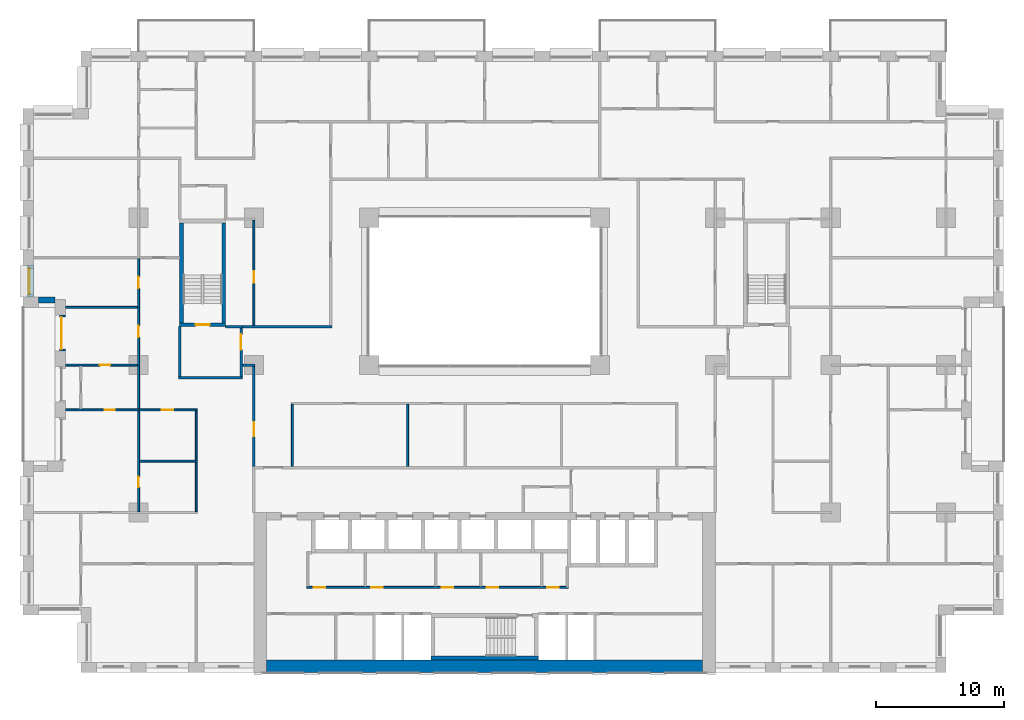
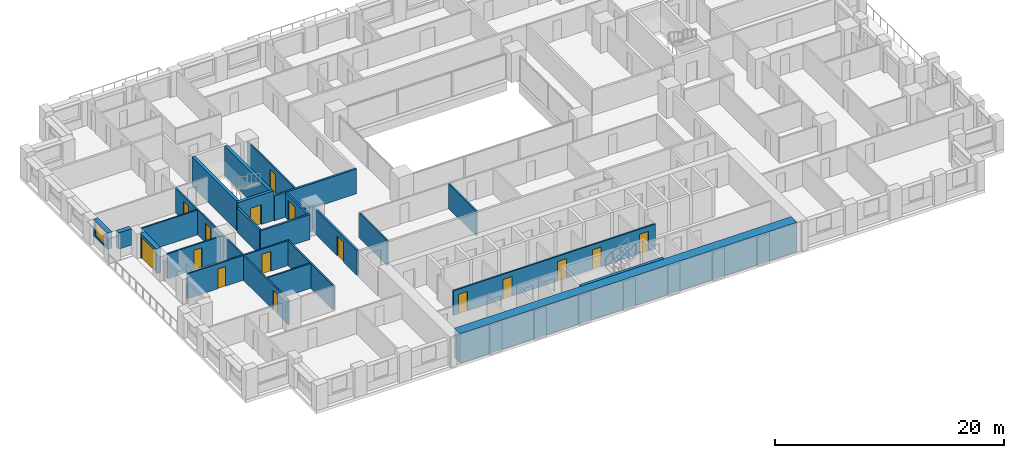
# One storey, part 10 of 20: 26 walls, 16 doors, 1 window, 17 openings.
"""IFC4 building model written with IfcOpenShell, lengths in metres."""

from ifc_helpers import new_model, si_unit, direction, frame, frame_2d, origin, place, context, subcontext, project, spatial, rectangle, extrude, material, layer, layer_set, type_object, element, fill, save


model = new_model("IFC4")

# Units and contexts
model_context = context("Model", 3, precision=1e-05, world=origin(), true_north=direction((0.0, 1.0)))
body_context = subcontext(model_context, "Body", "Model", "MODEL_VIEW")
ifc_project = project(units=[si_unit("LENGTHUNIT", "METRE"), si_unit("AREAUNIT", "SQUARE_METRE"), si_unit("VOLUMEUNIT", "CUBIC_METRE"), si_unit("PLANEANGLEUNIT", "RADIAN"), si_unit("MASSUNIT", "GRAM", prefix="KILO")], contexts=[model_context])

# Site, building, storey
site_placement = place(None, origin())
site = spatial("IfcSite", under=ifc_project, at=site_placement, CompositionType="ELEMENT")
building_placement = place(site_placement, origin())
building = spatial("IfcBuilding", under=site, at=building_placement, Name="Brigalow Station Residences", CompositionType="ELEMENT")
storey_placement = place(building_placement, frame((0.0, 0.0, 69.89990234375)))
storey = spatial("IfcBuildingStorey", under=building, at=storey_placement, Name="L20", CompositionType="ELEMENT", Elevation=69.89990234375)

# Wall, opening, window
ifc_material_1 = material(Name="Clay brick masonry", Category="masonry")
ifc_layer_1 = layer(ifc_material_1, 0.449951171875)
ifc_layer_set_1 = layer_set([ifc_layer_1], Name="BRICK INFILL WALL 450")
wall_type_1 = type_object("IfcWallType", Name="BRICK INFILL WALL 450", PredefinedType="SOLIDWALL", material=ifc_layer_set_1)
wall_1_placement = place(storey_placement, frame((0.574951171875, 31.77490234375, 0.900146484375), z_axis=(0.0, 0.0, 1.0), x_axis=(0.0, -1.0, 0.0)))
wall_1 = element("IfcWall", 1, at=wall_1_placement, inside=storey, type_object=wall_type_1, Name="L20/ewall/W-L20-45", PredefinedType="SOLIDWALL", context=body_context, shape_type="SweptSolid", body=[
    extrude(rectangle(XDim=2.474853515625, YDim=0.449951171875, at=frame_2d((1.2373046875, 0.0))), origin(), (0.0, 0.0, 1.0), 1.75),
])
opening_1_placement = place(wall_1_placement, frame((0.237548828125, 0.0, 0.14990234375)))
opening_1 = element("IfcOpeningElement", 2, at=opening_1_placement, cuts=wall_1, Name="Opening WT-7", PredefinedType="OPENING", context=body_context, shape_type="SweptSolid", body=[
    extrude(rectangle(XDim=2.0, YDim=1.5, at=frame_2d((1.0, 0.75))), frame((0.0, 0.23486328125, 0.0), z_axis=(0.0, -1.0, 0.0), x_axis=(1.0, 0.0, 0.0)), (0.0, 0.0, 1.0), 0.469970703125),
])
ifc_material_2 = material(Name="Anodised aluminium frame with double glazing", Category="aluminium")
window_type = type_object("IfcWindowType", Name="WINDOW 2000x1500", PartitioningType="SINGLE_PANEL", PredefinedType="WINDOW", material=ifc_material_2)
window_placement = place(opening_1_placement, origin())
window = element("IfcWindow", 3, at=window_placement, inside=storey, type_object=window_type, Name="L20/window/W-L20-45", OverallHeight=1.5, OverallWidth=2.0, PartitioningType="SINGLE_PANEL", PredefinedType="WINDOW", context=body_context, shape_type="SweptSolid", body=[
    extrude(rectangle(XDim=2.0, YDim=1.5, at=frame_2d((1.0, 0.75))), frame((0.0, -0.06494140625, 0.0), z_axis=(0.0, -1.0, 0.0), x_axis=(1.0, 0.0, 0.0)), (0.0, 0.0, 1.0), 0.06005859375),
])
fill(opening_1, window)

# Wall
wall_2_placement = place(storey_placement, frame((1.199951171875, 29.074951171875, 0.900146484375), z_axis=(0.0, 0.0, 1.0), x_axis=(1.0, 0.0, 0.0)))
element("IfcWall", 4, at=wall_2_placement, inside=storey, type_object=wall_type_1, Name="L20/ewall/W-L20-46", PredefinedType="SOLIDWALL", context=body_context, shape_type="SweptSolid", body=[
    extrude(rectangle(XDim=1.300048828125, YDim=0.449951171875, at=frame_2d((0.64990234375, 0.0))), origin(), (0.0, 0.0, 1.0), 1.75),
])

# Wall, opening, door
wall_3_placement = place(storey_placement, frame((3.074951171875, 27.89990234375, 0.0), z_axis=(0.0, 0.0, 1.0), x_axis=(0.0, -1.0, 0.0)))
wall_3 = element("IfcWall", 5, at=wall_3_placement, inside=storey, type_object=wall_type_1, Name="L20/ewall/W-L20-47", PredefinedType="SOLIDWALL", context=body_context, shape_type="SweptSolid", body=[
    extrude(rectangle(XDim=2.7998046875, YDim=0.449951171875, at=frame_2d((1.39990234375, 0.0))), origin(), (0.0, 0.0, 1.0), 2.650146484375),
])
opening_2_placement = place(wall_3_placement, frame((0.14990234375, 0.0, 0.0)))
opening_2 = element("IfcOpeningElement", 6, at=opening_2_placement, cuts=wall_3, Name="Opening D-B2500", PredefinedType="OPENING", context=body_context, shape_type="SweptSolid", body=[
    extrude(rectangle(XDim=2.5, YDim=2.300048828125, at=frame_2d((1.25, 1.14990234375))), frame((0.0, 0.23486328125, 0.0), z_axis=(0.0, -1.0, 0.0), x_axis=(1.0, 0.0, 0.0)), (0.0, 0.0, 1.0), 0.469970703125),
])
ifc_material_3 = material(Name="Anodised aluminium frame with double glazing", Category="aluminium")
door_type_1 = type_object("IfcDoorType", Name="BALCONY SLIDING DOOR 2500x2300", OperationType="SLIDING_TO_LEFT", PredefinedType="DOOR", material=ifc_material_3)
door_1_placement = place(opening_2_placement, origin())
door_1 = element("IfcDoor", 7, at=door_1_placement, inside=storey, type_object=door_type_1, Name="L20/balcony-door/W-L20-47", OperationType="SLIDING_TO_LEFT", OverallHeight=2.300048828125, OverallWidth=2.5, PredefinedType="DOOR", context=body_context, shape_type="SweptSolid", body=[
    extrude(rectangle(XDim=2.5, YDim=2.300048828125, at=frame_2d((1.25, 1.14990234375))), frame((0.0, -0.06982421875, 0.0), z_axis=(0.0, -1.0, 0.0), x_axis=(1.0, 0.0, 0.0)), (0.0, 0.0, 1.0), 0.050048828125),
])
fill(opening_2, door_1)

# Walls
ifc_material_4 = material(Name="Concrete C80", Category="concrete")
ifc_layer_2 = layer(ifc_material_4, 1.0)
ifc_layer_set_2 = layer_set([ifc_layer_2], Name="CORE SHEAR WALL 1000 C80")
wall_type_2 = type_object("IfcWallType", Name="CORE SHEAR WALL 1000 C80", PredefinedType="SHEAR", material=ifc_layer_set_2)
wall_4_placement = place(storey_placement, frame((19.0, 0.5, 0.0), z_axis=(0.0, 0.0, 1.0), x_axis=(1.0, 0.0, 0.0)))
element("IfcWall", 8, at=wall_4_placement, inside=storey, type_object=wall_type_2, Name="CORE WALL OUT-S L20", PredefinedType="SHEAR", context=body_context, shape_type="SweptSolid", body=[
    extrude(rectangle(XDim=34.0, YDim=1.0, at=frame_2d((17.0, 0.0))), origin(), (0.0, 0.0, 1.0), 3.150146484375),
])
ifc_material_5 = material(Name="Concrete C80", Category="concrete")
ifc_layer_3 = layer(ifc_material_5, 0.300048828125)
ifc_layer_set_3 = layer_set([ifc_layer_3], Name="CORE SHEAR WALL 300 C80")
wall_type_3 = type_object("IfcWallType", Name="CORE SHEAR WALL 300 C80", PredefinedType="SHEAR", material=ifc_layer_set_3)
wall_5_placement = place(storey_placement, frame((31.800048828125, 1.14990234375, 0.0), z_axis=(0.0, 0.0, 1.0), x_axis=(1.0, 0.0, 0.0)))
element("IfcWall", 9, at=wall_5_placement, inside=storey, type_object=wall_type_3, Name="CORE WALL ST-S2-S L20", PredefinedType="SHEAR", context=body_context, shape_type="SweptSolid", body=[
    extrude(rectangle(XDim=8.39990234375, YDim=0.300048828125, at=frame_2d((4.199951171875, 0.0))), origin(), (0.0, 0.0, 1.0), 3.150146484375),
])

# Wall, opening, door
wall_6_placement = place(storey_placement, frame((12.199951171875, 27.14990234375, 0.0), z_axis=(0.0, 0.0, 1.0), x_axis=(1.0, 0.0, 0.0)))
wall_6 = element("IfcWall", 10, at=wall_6_placement, inside=storey, type_object=wall_type_3, Name="CORE WALL ST-S1-S L20", PredefinedType="SHEAR", context=body_context, shape_type="SweptSolid", body=[
    extrude(rectangle(XDim=3.60009765625, YDim=0.300048828125, at=frame_2d((1.800048828125, 0.0))), origin(), (0.0, 0.0, 1.0), 3.150146484375),
])
opening_3_placement = place(wall_6_placement, frame((1.25, 0.0, 0.0)))
opening_3 = element("IfcOpeningElement", 11, at=opening_3_placement, cuts=wall_6, Name="Opening D-5015", PredefinedType="OPENING", context=body_context, shape_type="SweptSolid", body=[
    extrude(rectangle(XDim=1.10009765625, YDim=2.10009765625, at=frame_2d((0.550048828125, 1.050048828125))), frame((0.0, 0.16015625, 0.0), z_axis=(0.0, -1.0, 0.0), x_axis=(1.0, 0.0, 0.0)), (0.0, 0.0, 1.0), 0.320068359375),
])
ifc_material_6 = material(Name="Steel fire door leaf in steel frame", Category="steel")
door_type_2 = type_object("IfcDoorType", Name="STAIR DOOR 1100 x 2100 FD60S", OperationType="SINGLE_SWING_LEFT", PredefinedType="DOOR", material=ifc_material_6)
door_2_placement = place(opening_3_placement, origin())
door_2 = element("IfcDoor", 12, at=door_2_placement, inside=storey, type_object=door_type_2, Name="D-5015", OperationType="SINGLE_SWING_LEFT", OverallHeight=2.10009765625, OverallWidth=1.10009765625, PredefinedType="DOOR", context=body_context, shape_type="SweptSolid", body=[
    extrude(rectangle(XDim=1.10009765625, YDim=2.10009765625, at=frame_2d((0.550048828125, 1.050048828125))), frame((0.0, 0.02490234375, 0.0), z_axis=(0.0, -1.0, 0.0), x_axis=(1.0, 0.0, 0.0)), (0.0, 0.0, 1.0), 0.050048828125),
])
fill(opening_3, door_2)

# Walls
for number, where, z_axis, x_axis, name in (
    (13, (12.35009765625, 27.300048828125, 0.0), (0.0, 0.0, 1.0), (0.0, 1.0, 0.0), "CORE WALL ST-S1-W L20"),
    (14, (15.64990234375, 27.300048828125, 0.0), (0.0, 0.0, 1.0), (0.0, 1.0, 0.0), "CORE WALL ST-S1-E L20"),
):
    element("IfcWall", number, at=place(storey_placement, frame(where, z_axis=z_axis, x_axis=x_axis)), inside=storey, type_object=wall_type_3, Name=name, PredefinedType="SHEAR", context=body_context, shape_type="SweptSolid", body=[
        extrude(rectangle(XDim=7.800048828125, YDim=0.300048828125, at=frame_2d((3.89990234375, 0.0))), origin(), (0.0, 0.0, 1.0), 3.150146484375),
    ])
ifc_material_7 = material(Name="Concrete blockwork", Category="masonry")
ifc_layer_4 = layer(ifc_material_7, 0.199951171875)
ifc_layer_set_4 = layer_set([ifc_layer_4], Name="FIRE RATED CORE PARTITION 200")
wall_type_4 = type_object("IfcWallType", Name="FIRE RATED CORE PARTITION 200", PredefinedType="PARTITIONING", material=ifc_layer_set_4)
wall_7_placement = place(storey_placement, frame((12.10009765625, 23.0, 0.0), z_axis=(0.0, 0.0, 1.0), x_axis=(1.0, 0.0, 0.0)))
element("IfcWall", 15, at=wall_7_placement, inside=storey, type_object=wall_type_4, Name="PW-5023", PredefinedType="PARTITIONING", context=body_context, shape_type="SweptSolid", body=[
    extrude(rectangle(XDim=5.0, YDim=0.199951171875, at=frame_2d((2.5, 0.0))), origin(), (0.0, 0.0, 1.0), 2.650146484375),
])
wall_8_placement = place(storey_placement, frame((15.800048828125, 27.0, 0.0), z_axis=(0.0, 0.0, 1.0), x_axis=(1.0, 0.0, 0.0)))
element("IfcWall", 16, at=wall_8_placement, inside=storey, type_object=wall_type_4, Name="PW-5025", PredefinedType="PARTITIONING", context=body_context, shape_type="SweptSolid", body=[
    extrude(rectangle(XDim=1.300048828125, YDim=0.199951171875, at=frame_2d((0.64990234375, 0.0))), origin(), (0.0, 0.0, 1.0), 2.650146484375),
])
wall_9_placement = place(storey_placement, frame((12.199951171875, 23.10009765625, 0.0), z_axis=(0.0, 0.0, 1.0), x_axis=(0.0, 1.0, 0.0)))
element("IfcWall", 17, at=wall_9_placement, inside=storey, type_object=wall_type_4, Name="PW-5034", PredefinedType="PARTITIONING", context=body_context, shape_type="SweptSolid", body=[
    extrude(rectangle(XDim=3.89990234375, YDim=0.199951171875, at=frame_2d((1.949951171875, 0.0))), origin(), (0.0, 0.0, 1.0), 2.650146484375),
])

# Wall, opening, door
wall_10_placement = place(storey_placement, frame((17.0, 23.10009765625, 0.0), z_axis=(0.0, 0.0, 1.0), x_axis=(0.0, 1.0, 0.0)))
wall_10 = element("IfcWall", 18, at=wall_10_placement, inside=storey, type_object=wall_type_4, Name="PW-5035", PredefinedType="PARTITIONING", context=body_context, shape_type="SweptSolid", body=[
    extrude(rectangle(XDim=3.7998046875, YDim=0.199951171875, at=frame_2d((1.89990234375, 0.0))), origin(), (0.0, 0.0, 1.0), 2.650146484375),
])
opening_4_placement = place(wall_10_placement, frame((2.10009765625, 0.0, 0.0)))
opening_4 = element("IfcOpeningElement", 19, at=opening_4_placement, cuts=wall_10, Name="Opening D-5016", PredefinedType="OPENING", context=body_context, shape_type="SweptSolid", body=[
    extrude(rectangle(XDim=1.199951171875, YDim=2.10009765625, at=frame_2d((0.60009765625, 1.050048828125))), frame((0.0, 0.10986328125, 0.0), z_axis=(0.0, -1.0, 0.0), x_axis=(1.0, 0.0, 0.0)), (0.0, 0.0, 1.0), 0.219970703125),
])
ifc_material_8 = material(Name="Steel fire door leaf in steel frame", Category="steel")
door_type_3 = type_object("IfcDoorType", Name="STAIR LOBBY DOOR 1200 x 2100 FD60S", OperationType="SINGLE_SWING_LEFT", PredefinedType="DOOR", material=ifc_material_8)
door_3_placement = place(opening_4_placement, origin())
door_3 = element("IfcDoor", 20, at=door_3_placement, inside=storey, type_object=door_type_3, Name="D-5016", OperationType="SINGLE_SWING_RIGHT", OverallHeight=2.10009765625, OverallWidth=1.199951171875, PredefinedType="DOOR", context=body_context, shape_type="SweptSolid", body=[
    extrude(rectangle(XDim=1.199951171875, YDim=2.10009765625, at=frame_2d((0.60009765625, 1.050048828125))), frame((0.0, 0.02490234375, 0.0), z_axis=(0.0, -1.0, 0.0), x_axis=(1.0, 0.0, 0.0)), (0.0, 0.0, 1.0), 0.050048828125),
])
fill(opening_4, door_3)

ifc_material_9 = material(Name="Plasterboard on steel stud partition", Category="steel")
ifc_layer_5 = layer(ifc_material_9, 0.14990234375)
ifc_layer_set_5 = layer_set([ifc_layer_5], Name="FLAT PARTITION 150")
wall_type_5 = type_object("IfcWallType", Name="FLAT PARTITION 150", PredefinedType="PARTITIONING", material=ifc_layer_set_5)
wall_11_placement = place(storey_placement, frame((3.300048828125, 24.0, 0.0), z_axis=(0.0, 0.0, 1.0), x_axis=(1.0, 0.0, 0.0)))
wall_11 = element("IfcWall", 21, at=wall_11_placement, inside=storey, type_object=wall_type_5, Name="PW-1G02", PredefinedType="PARTITIONING", context=body_context, shape_type="SweptSolid", body=[
    extrude(rectangle(XDim=5.625, YDim=0.14990234375, at=frame_2d((2.8125, 0.0))), origin(), (0.0, 0.0, 1.0), 2.650146484375),
])
opening_5_placement = place(wall_11_placement, frame((2.675048828125, 0.0, 0.0)))
opening_5 = element("IfcOpeningElement", 22, at=opening_5_placement, cuts=wall_11, Name="Opening D-1G04", PredefinedType="OPENING", context=body_context, shape_type="SweptSolid", body=[
    extrude(rectangle(XDim=0.800048828125, YDim=2.10009765625, at=frame_2d((0.39990234375, 1.050048828125))), frame((0.0, 0.0849609375, 0.0), z_axis=(0.0, -1.0, 0.0), x_axis=(1.0, 0.0, 0.0)), (0.0, 0.0, 1.0), 0.169921875),
])
ifc_material_10 = material(Name="Solid-core timber door leaf", Category="wood")
door_type_4 = type_object("IfcDoorType", Name="INTERNAL DOOR 800 x 2100", OperationType="SINGLE_SWING_LEFT", PredefinedType="DOOR", material=ifc_material_10)
door_4_placement = place(opening_5_placement, frame((0.800048828125, 0.0, 0.0), z_axis=(0.0, 0.0, 1.0), x_axis=(-1.0, 0.0, 0.0)))
door_4 = element("IfcDoor", 23, at=door_4_placement, inside=storey, type_object=door_type_4, Name="D-1G04", OperationType="SINGLE_SWING_RIGHT", OverallHeight=2.10009765625, OverallWidth=0.800048828125, PredefinedType="DOOR", context=body_context, shape_type="SweptSolid", body=[
    extrude(rectangle(XDim=0.800048828125, YDim=2.10009765625, at=frame_2d((0.39990234375, 1.050048828125))), frame((0.0, 0.02490234375, 0.0), z_axis=(0.0, -1.0, 0.0), x_axis=(1.0, 0.0, 0.0)), (0.0, 0.0, 1.0), 0.050048828125),
])
fill(opening_5, door_4)

# Wall, openings, doors
wall_12_placement = place(storey_placement, frame((3.300048828125, 20.5, 0.0), z_axis=(0.0, 0.0, 1.0), x_axis=(1.0, 0.0, 0.0)))
wall_12 = element("IfcWall", 24, at=wall_12_placement, inside=storey, type_object=wall_type_5, Name="PW-1G15", PredefinedType="PARTITIONING", context=body_context, shape_type="SweptSolid", body=[
    extrude(rectangle(XDim=10.27490234375, YDim=0.14990234375, at=frame_2d((5.137451171875, 0.0))), origin(), (0.0, 0.0, 1.0), 2.650146484375),
])
opening_6_placement = place(wall_12_placement, frame((7.5, 0.0, 0.0)))
opening_6 = element("IfcOpeningElement", 25, at=opening_6_placement, cuts=wall_12, Name="Opening D-1G03", PredefinedType="OPENING", context=body_context, shape_type="SweptSolid", body=[
    extrude(rectangle(XDim=0.89990234375, YDim=2.10009765625, at=frame_2d((0.449951171875, 1.050048828125))), frame((0.0, 0.0849609375, 0.0), z_axis=(0.0, -1.0, 0.0), x_axis=(1.0, 0.0, 0.0)), (0.0, 0.0, 1.0), 0.169921875),
])
opening_7_placement = place(wall_12_placement, frame((3.050048828125, 0.0, 0.0)))
opening_7 = element("IfcOpeningElement", 26, at=opening_7_placement, cuts=wall_12, Name="Opening D-1G09", PredefinedType="OPENING", context=body_context, shape_type="SweptSolid", body=[
    extrude(rectangle(XDim=0.800048828125, YDim=2.10009765625, at=frame_2d((0.39990234375, 1.050048828125))), frame((0.0, 0.0849609375, 0.0), z_axis=(0.0, -1.0, 0.0), x_axis=(1.0, 0.0, 0.0)), (0.0, 0.0, 1.0), 0.169921875),
])
door_5_placement = place(opening_7_placement, origin())
door_5 = element("IfcDoor", 27, at=door_5_placement, inside=storey, type_object=door_type_4, Name="D-1G09", OperationType="SINGLE_SWING_RIGHT", OverallHeight=2.10009765625, OverallWidth=0.800048828125, PredefinedType="DOOR", context=body_context, shape_type="SweptSolid", body=[
    extrude(rectangle(XDim=0.800048828125, YDim=2.10009765625, at=frame_2d((0.39990234375, 1.050048828125))), frame((0.0, 0.02490234375, 0.0), z_axis=(0.0, -1.0, 0.0), x_axis=(1.0, 0.0, 0.0)), (0.0, 0.0, 1.0), 0.050048828125),
])
fill(opening_7, door_5)
ifc_material_11 = material(Name="Solid-core timber door leaf", Category="wood")
door_type_5 = type_object("IfcDoorType", Name="INTERNAL DOOR 900 x 2100", OperationType="SINGLE_SWING_LEFT", PredefinedType="DOOR", material=ifc_material_11)
door_6_placement = place(opening_6_placement, frame((0.89990234375, 0.0, 0.0), z_axis=(0.0, 0.0, 1.0), x_axis=(-1.0, 0.0, 0.0)))
door_6 = element("IfcDoor", 28, at=door_6_placement, inside=storey, type_object=door_type_5, Name="D-1G03", OperationType="SINGLE_SWING_LEFT", OverallHeight=2.10009765625, OverallWidth=0.89990234375, PredefinedType="DOOR", context=body_context, shape_type="SweptSolid", body=[
    extrude(rectangle(XDim=0.89990234375, YDim=2.10009765625, at=frame_2d((0.449951171875, 1.050048828125))), frame((0.0, 0.02490234375, 0.0), z_axis=(0.0, -1.0, 0.0), x_axis=(1.0, 0.0, 0.0)), (0.0, 0.0, 1.0), 0.050048828125),
])
fill(opening_6, door_6)

# Walls
wall_13_placement = place(storey_placement, frame((9.074951171875, 16.5, 0.0), z_axis=(0.0, 0.0, 1.0), x_axis=(1.0, 0.0, 0.0)))
element("IfcWall", 29, at=wall_13_placement, inside=storey, type_object=wall_type_5, Name="PW-1G19", PredefinedType="PARTITIONING", context=body_context, shape_type="SweptSolid", body=[
    extrude(rectangle(XDim=4.35009765625, YDim=0.14990234375, at=frame_2d((2.175048828125, 0.0))), origin(), (0.0, 0.0, 1.0), 2.650146484375),
])
wall_14_placement = place(storey_placement, frame((3.300048828125, 28.5, 0.0), z_axis=(0.0, 0.0, 1.0), x_axis=(1.0, 0.0, 0.0)))
element("IfcWall", 30, at=wall_14_placement, inside=storey, type_object=wall_type_5, Name="PW-1G21", PredefinedType="PARTITIONING", context=body_context, shape_type="SweptSolid", body=[
    extrude(rectangle(XDim=5.625, YDim=0.14990234375, at=frame_2d((2.8125, 0.0))), origin(), (0.0, 0.0, 1.0), 2.650146484375),
])

# Wall, opening, door
wall_15_placement = place(storey_placement, frame((18.0, 27.10009765625, 0.0), z_axis=(0.0, 0.0, 1.0), x_axis=(0.0, 1.0, 0.0)))
wall_15 = element("IfcWall", 31, at=wall_15_placement, inside=storey, type_object=wall_type_5, Name="PW-1G39", PredefinedType="PARTITIONING", context=body_context, shape_type="SweptSolid", body=[
    extrude(rectangle(XDim=8.224853515625, YDim=0.14990234375, at=frame_2d((4.1123046875, 0.0))), origin(), (0.0, 0.0, 1.0), 2.650146484375),
])
opening_8_placement = place(wall_15_placement, frame((3.324951171875, 0.0, 0.0)))
opening_8 = element("IfcOpeningElement", 32, at=opening_8_placement, cuts=wall_15, Name="Opening D-1G29", PredefinedType="OPENING", context=body_context, shape_type="SweptSolid", body=[
    extrude(rectangle(XDim=0.89990234375, YDim=2.10009765625, at=frame_2d((0.449951171875, 1.050048828125))), frame((0.0, 0.0849609375, 0.0), z_axis=(0.0, -1.0, 0.0), x_axis=(1.0, 0.0, 0.0)), (0.0, 0.0, 1.0), 0.169921875),
])
door_7_placement = place(opening_8_placement, origin())
door_7 = element("IfcDoor", 33, at=door_7_placement, inside=storey, type_object=door_type_5, Name="D-1G29", OperationType="SINGLE_SWING_LEFT", OverallHeight=2.10009765625, OverallWidth=0.89990234375, PredefinedType="DOOR", context=body_context, shape_type="SweptSolid", body=[
    extrude(rectangle(XDim=0.89990234375, YDim=2.10009765625, at=frame_2d((0.449951171875, 1.050048828125))), frame((0.0, 0.02490234375, 0.0), z_axis=(0.0, -1.0, 0.0), x_axis=(1.0, 0.0, 0.0)), (0.0, 0.0, 1.0), 0.050048828125),
])
fill(opening_8, door_7)

# Walls
wall_16_placement = place(storey_placement, frame((21.0, 16.10009765625, 0.0), z_axis=(0.0, 0.0, 1.0), x_axis=(0.0, 1.0, 0.0)))
element("IfcWall", 34, at=wall_16_placement, inside=storey, type_object=wall_type_5, Name="PW-1G45", PredefinedType="PARTITIONING", context=body_context, shape_type="SweptSolid", body=[
    extrude(rectangle(XDim=4.824951171875, YDim=0.14990234375, at=frame_2d((2.41259765625, 0.0))), origin(), (0.0, 0.0, 1.0), 2.650146484375),
])
wall_17_placement = place(storey_placement, frame((13.5, 12.574951171875, 0.0), z_axis=(0.0, 0.0, 1.0), x_axis=(0.0, 1.0, 0.0)))
element("IfcWall", 35, at=wall_17_placement, inside=storey, type_object=wall_type_5, Name="PW-1G51", PredefinedType="PARTITIONING", context=body_context, shape_type="SweptSolid", body=[
    extrude(rectangle(XDim=7.85009765625, YDim=0.14990234375, at=frame_2d((3.925048828125, 0.0))), origin(), (0.0, 0.0, 1.0), 2.650146484375),
])

# Wall, opening, door
wall_18_placement = place(storey_placement, frame((9.0, 12.574951171875, 0.0), z_axis=(0.0, 0.0, 1.0), x_axis=(0.0, 1.0, 0.0)))
wall_18 = element("IfcWall", 36, at=wall_18_placement, inside=storey, type_object=wall_type_5, Name="PW-1G55", PredefinedType="PARTITIONING", context=body_context, shape_type="SweptSolid", body=[
    extrude(rectangle(XDim=7.85009765625, YDim=0.14990234375, at=frame_2d((3.925048828125, 0.0))), origin(), (0.0, 0.0, 1.0), 2.650146484375),
])
opening_9_placement = place(wall_18_placement, frame((1.89990234375, 0.0, 0.0)))
opening_9 = element("IfcOpeningElement", 37, at=opening_9_placement, cuts=wall_18, Name="Opening D-1G11", PredefinedType="OPENING", context=body_context, shape_type="SweptSolid", body=[
    extrude(rectangle(XDim=0.800048828125, YDim=2.10009765625, at=frame_2d((0.39990234375, 1.050048828125))), frame((0.0, 0.0849609375, 0.0), z_axis=(0.0, -1.0, 0.0), x_axis=(1.0, 0.0, 0.0)), (0.0, 0.0, 1.0), 0.169921875),
])
door_8_placement = place(opening_9_placement, frame((0.800048828125, 0.0, 0.0), z_axis=(0.0, 0.0, 1.0), x_axis=(-1.0, 0.0, 0.0)))
door_8 = element("IfcDoor", 38, at=door_8_placement, inside=storey, type_object=door_type_4, Name="D-1G11", OperationType="SINGLE_SWING_LEFT", OverallHeight=2.10009765625, OverallWidth=0.800048828125, PredefinedType="DOOR", context=body_context, shape_type="SweptSolid", body=[
    extrude(rectangle(XDim=0.800048828125, YDim=2.10009765625, at=frame_2d((0.39990234375, 1.050048828125))), frame((0.0, 0.02490234375, 0.0), z_axis=(0.0, -1.0, 0.0), x_axis=(1.0, 0.0, 0.0)), (0.0, 0.0, 1.0), 0.050048828125),
])
fill(opening_9, door_8)

# Wall, openings, doors
wall_19_placement = place(storey_placement, frame((9.0, 20.574951171875, 0.0), z_axis=(0.0, 0.0, 1.0), x_axis=(0.0, 1.0, 0.0)))
wall_19 = element("IfcWall", 39, at=wall_19_placement, inside=storey, type_object=wall_type_5, Name="PW-1G56", PredefinedType="PARTITIONING", context=body_context, shape_type="SweptSolid", body=[
    extrude(rectangle(XDim=11.72509765625, YDim=0.14990234375, at=frame_2d((5.862548828125, 0.0))), origin(), (0.0, 0.0, 1.0), 2.650146484375),
])
opening_10_placement = place(wall_19_placement, frame((5.60009765625, 0.0, 0.0)))
opening_10 = element("IfcOpeningElement", 40, at=opening_10_placement, cuts=wall_19, Name="Opening D-1G05", PredefinedType="OPENING", context=body_context, shape_type="SweptSolid", body=[
    extrude(rectangle(XDim=0.89990234375, YDim=2.10009765625, at=frame_2d((0.449951171875, 1.050048828125))), frame((0.0, 0.0849609375, 0.0), z_axis=(0.0, -1.0, 0.0), x_axis=(1.0, 0.0, 0.0)), (0.0, 0.0, 1.0), 0.169921875),
])
opening_11_placement = place(wall_19_placement, frame((9.4130859375, 0.0, 0.0)))
opening_11 = element("IfcOpeningElement", 41, at=opening_11_placement, cuts=wall_19, Name="Opening D-1G06", PredefinedType="OPENING", context=body_context, shape_type="SweptSolid", body=[
    extrude(rectangle(XDim=0.89990234375, YDim=2.10009765625, at=frame_2d((0.449951171875, 1.050048828125))), frame((0.0, 0.0849609375, 0.0), z_axis=(0.0, -1.0, 0.0), x_axis=(1.0, 0.0, 0.0)), (0.0, 0.0, 1.0), 0.169921875),
])
door_9_placement = place(opening_10_placement, origin())
door_9 = element("IfcDoor", 42, at=door_9_placement, inside=storey, type_object=door_type_5, Name="D-1G05", OperationType="SINGLE_SWING_RIGHT", OverallHeight=2.10009765625, OverallWidth=0.89990234375, PredefinedType="DOOR", context=body_context, shape_type="SweptSolid", body=[
    extrude(rectangle(XDim=0.89990234375, YDim=2.10009765625, at=frame_2d((0.449951171875, 1.050048828125))), frame((0.0, 0.02490234375, 0.0), z_axis=(0.0, -1.0, 0.0), x_axis=(1.0, 0.0, 0.0)), (0.0, 0.0, 1.0), 0.050048828125),
])
fill(opening_10, door_9)
door_10_placement = place(opening_11_placement, origin())
door_10 = element("IfcDoor", 43, at=door_10_placement, inside=storey, type_object=door_type_5, Name="D-1G06", OperationType="SINGLE_SWING_RIGHT", OverallHeight=2.10009765625, OverallWidth=0.89990234375, PredefinedType="DOOR", context=body_context, shape_type="SweptSolid", body=[
    extrude(rectangle(XDim=0.89990234375, YDim=2.10009765625, at=frame_2d((0.449951171875, 1.050048828125))), frame((0.0, 0.02490234375, 0.0), z_axis=(0.0, -1.0, 0.0), x_axis=(1.0, 0.0, 0.0)), (0.0, 0.0, 1.0), 0.050048828125),
])
fill(opening_11, door_10)

# Walls
wall_20_placement = place(storey_placement, frame((30.0, 16.10009765625, 0.0), z_axis=(0.0, 0.0, 1.0), x_axis=(0.0, 1.0, 0.0)))
element("IfcWall", 44, at=wall_20_placement, inside=storey, type_object=wall_type_5, Name="PW-1G81", PredefinedType="PARTITIONING", context=body_context, shape_type="SweptSolid", body=[
    extrude(rectangle(XDim=4.824951171875, YDim=0.14990234375, at=frame_2d((2.41259765625, 0.0))), origin(), (0.0, 0.0, 1.0), 2.650146484375),
])
ifc_material_12 = material(Name="Plasterboard on steel stud partition", Category="steel")
ifc_layer_6 = layer(ifc_material_12, 0.199951171875)
ifc_layer_set_6 = layer_set([ifc_layer_6], Name="PARTY AND CORRIDOR WALL 200")
wall_type_6 = type_object("IfcWallType", Name="PARTY AND CORRIDOR WALL 200", PredefinedType="PARTITIONING", material=ifc_layer_set_6)
wall_21_placement = place(storey_placement, frame((17.10009765625, 24.0, 0.0), z_axis=(0.0, 0.0, 1.0), x_axis=(1.0, 0.0, 0.0)))
element("IfcWall", 45, at=wall_21_placement, inside=storey, type_object=wall_type_6, Name="PW-1G04", PredefinedType="PARTITIONING", context=body_context, shape_type="SweptSolid", body=[
    extrude(rectangle(XDim=1.0, YDim=0.199951171875, at=frame_2d((0.5, 0.0))), origin(), (0.0, 0.0, 1.0), 2.650146484375),
])
wall_22_placement = place(storey_placement, frame((17.10009765625, 27.0, 0.0), z_axis=(0.0, 0.0, 1.0), x_axis=(1.0, 0.0, 0.0)))
element("IfcWall", 46, at=wall_22_placement, inside=storey, type_object=wall_type_6, Name="PW-1G06", PredefinedType="PARTITIONING", context=body_context, shape_type="SweptSolid", body=[
    extrude(rectangle(XDim=7.0, YDim=0.199951171875, at=frame_2d((3.5, 0.0))), origin(), (0.0, 0.0, 1.0), 2.650146484375),
])

# Wall, opening, door
wall_23_placement = place(storey_placement, frame((18.0, 16.10009765625, 0.0), z_axis=(0.0, 0.0, 1.0), x_axis=(0.0, 1.0, 0.0)))
wall_23 = element("IfcWall", 47, at=wall_23_placement, inside=storey, type_object=wall_type_6, Name="PW-1G41", PredefinedType="PARTITIONING", context=body_context, shape_type="SweptSolid", body=[
    extrude(rectangle(XDim=7.7998046875, YDim=0.199951171875, at=frame_2d((3.89990234375, 0.0))), origin(), (0.0, 0.0, 1.0), 2.650146484375),
])
opening_12_placement = place(wall_23_placement, frame((2.35009765625, 0.0, 0.0)))
opening_12 = element("IfcOpeningElement", 48, at=opening_12_placement, cuts=wall_23, Name="Opening D-1G17", PredefinedType="OPENING", context=body_context, shape_type="SweptSolid", body=[
    extrude(rectangle(XDim=1.10009765625, YDim=2.10009765625, at=frame_2d((0.550048828125, 1.050048828125))), frame((0.0, 0.10986328125, 0.0), z_axis=(0.0, -1.0, 0.0), x_axis=(1.0, 0.0, 0.0)), (0.0, 0.0, 1.0), 0.219970703125),
])
ifc_material_13 = material(Name="Solid-core timber door leaf", Category="wood")
door_type_6 = type_object("IfcDoorType", Name="FLAT ENTRANCE DOOR 1100 x 2100 FRL -/60/30", OperationType="SINGLE_SWING_LEFT", PredefinedType="DOOR", material=ifc_material_13)
door_11_placement = place(opening_12_placement, origin())
door_11 = element("IfcDoor", 49, at=door_11_placement, inside=storey, type_object=door_type_6, Name="D-1G17", OperationType="SINGLE_SWING_RIGHT", OverallHeight=2.10009765625, OverallWidth=1.10009765625, PredefinedType="DOOR", context=body_context, shape_type="SweptSolid", body=[
    extrude(rectangle(XDim=1.10009765625, YDim=2.10009765625, at=frame_2d((0.550048828125, 1.050048828125))), frame((0.0, 0.02490234375, 0.0), z_axis=(0.0, -1.0, 0.0), x_axis=(1.0, 0.0, 0.0)), (0.0, 0.0, 1.0), 0.050048828125),
])
fill(opening_12, door_11)

# Wall, openings, doors
ifc_material_14 = material(Name="Plasterboard on steel studs", Category="steel")
ifc_layer_7 = layer(ifc_material_14, 0.14990234375)
ifc_layer_set_7 = layer_set([ifc_layer_7], Name="SERVICE ROOM PARTITION 150")
wall_type_7 = type_object("IfcWallType", Name="SERVICE ROOM PARTITION 150", PredefinedType="PARTITIONING", material=ifc_layer_set_7)
wall_24_placement = place(storey_placement, frame((22.125, 6.64990234375, 0.0), z_axis=(0.0, 0.0, 1.0), x_axis=(1.0, 0.0, 0.0)))
wall_24 = element("IfcWall", 50, at=wall_24_placement, inside=storey, type_object=wall_type_7, Name="PW-5021", PredefinedType="PARTITIONING", context=body_context, shape_type="SweptSolid", body=[
    extrude(rectangle(XDim=20.39990234375, YDim=0.14990234375, at=frame_2d((10.199951171875, 0.0))), origin(), (0.0, 0.0, 1.0), 2.650146484375),
])
opening_13_placement = place(wall_24_placement, frame((0.52490234375, 0.0, 0.0)))
opening_13 = element("IfcOpeningElement", 51, at=opening_13_placement, cuts=wall_24, Name="Opening D-5021", PredefinedType="OPENING", context=body_context, shape_type="SweptSolid", body=[
    extrude(rectangle(XDim=0.89990234375, YDim=2.10009765625, at=frame_2d((0.449951171875, 1.050048828125))), frame((0.0, 0.0849609375, 0.0), z_axis=(0.0, -1.0, 0.0), x_axis=(1.0, 0.0, 0.0)), (0.0, 0.0, 1.0), 0.169921875),
])
opening_14_placement = place(wall_24_placement, frame((5.02490234375, 0.0, 0.0)))
opening_14 = element("IfcOpeningElement", 52, at=opening_14_placement, cuts=wall_24, Name="Opening D-5031", PredefinedType="OPENING", context=body_context, shape_type="SweptSolid", body=[
    extrude(rectangle(XDim=0.89990234375, YDim=2.10009765625, at=frame_2d((0.449951171875, 1.050048828125))), frame((0.0, 0.0849609375, 0.0), z_axis=(0.0, -1.0, 0.0), x_axis=(1.0, 0.0, 0.0)), (0.0, 0.0, 1.0), 0.169921875),
])
opening_15_placement = place(wall_24_placement, frame((10.52490234375, 0.0, 0.0)))
opening_15 = element("IfcOpeningElement", 53, at=opening_15_placement, cuts=wall_24, Name="Opening D-5032", PredefinedType="OPENING", context=body_context, shape_type="SweptSolid", body=[
    extrude(rectangle(XDim=0.89990234375, YDim=2.10009765625, at=frame_2d((0.449951171875, 1.050048828125))), frame((0.0, 0.0849609375, 0.0), z_axis=(0.0, -1.0, 0.0), x_axis=(1.0, 0.0, 0.0)), (0.0, 0.0, 1.0), 0.169921875),
])
opening_16_placement = place(wall_24_placement, frame((14.02490234375, 0.0, 0.0)))
opening_16 = element("IfcOpeningElement", 54, at=opening_16_placement, cuts=wall_24, Name="Opening D-5033", PredefinedType="OPENING", context=body_context, shape_type="SweptSolid", body=[
    extrude(rectangle(XDim=0.89990234375, YDim=2.10009765625, at=frame_2d((0.449951171875, 1.050048828125))), frame((0.0, 0.0849609375, 0.0), z_axis=(0.0, -1.0, 0.0), x_axis=(1.0, 0.0, 0.0)), (0.0, 0.0, 1.0), 0.169921875),
])
opening_17_placement = place(wall_24_placement, frame((18.77490234375, 0.0, 0.0)))
opening_17 = element("IfcOpeningElement", 55, at=opening_17_placement, cuts=wall_24, Name="Opening D-5034", PredefinedType="OPENING", context=body_context, shape_type="SweptSolid", body=[
    extrude(rectangle(XDim=0.89990234375, YDim=2.10009765625, at=frame_2d((0.449951171875, 1.050048828125))), frame((0.0, 0.0849609375, 0.0), z_axis=(0.0, -1.0, 0.0), x_axis=(1.0, 0.0, 0.0)), (0.0, 0.0, 1.0), 0.169921875),
])
ifc_material_15 = material(Name="Steel door leaf in steel frame", Category="steel")
door_type_7 = type_object("IfcDoorType", Name="SERVICE ROOM DOOR 900 x 2100 FD60", OperationType="SINGLE_SWING_LEFT", PredefinedType="DOOR", material=ifc_material_15)
door_12_placement = place(opening_13_placement, origin())
door_12 = element("IfcDoor", 56, at=door_12_placement, inside=storey, type_object=door_type_7, Name="D-5021", OperationType="SINGLE_SWING_LEFT", OverallHeight=2.10009765625, OverallWidth=0.89990234375, PredefinedType="DOOR", context=body_context, shape_type="SweptSolid", body=[
    extrude(rectangle(XDim=0.89990234375, YDim=2.10009765625, at=frame_2d((0.449951171875, 1.050048828125))), frame((0.0, 0.02490234375, 0.0), z_axis=(0.0, -1.0, 0.0), x_axis=(1.0, 0.0, 0.0)), (0.0, 0.0, 1.0), 0.050048828125),
])
fill(opening_13, door_12)
door_13_placement = place(opening_14_placement, origin())
door_13 = element("IfcDoor", 57, at=door_13_placement, inside=storey, type_object=door_type_7, Name="D-5031", OperationType="SINGLE_SWING_LEFT", OverallHeight=2.10009765625, OverallWidth=0.89990234375, PredefinedType="DOOR", context=body_context, shape_type="SweptSolid", body=[
    extrude(rectangle(XDim=0.89990234375, YDim=2.10009765625, at=frame_2d((0.449951171875, 1.050048828125))), frame((0.0, 0.02490234375, 0.0), z_axis=(0.0, -1.0, 0.0), x_axis=(1.0, 0.0, 0.0)), (0.0, 0.0, 1.0), 0.050048828125),
])
fill(opening_14, door_13)
door_14_placement = place(opening_15_placement, origin())
door_14 = element("IfcDoor", 58, at=door_14_placement, inside=storey, type_object=door_type_7, Name="D-5032", OperationType="SINGLE_SWING_LEFT", OverallHeight=2.10009765625, OverallWidth=0.89990234375, PredefinedType="DOOR", context=body_context, shape_type="SweptSolid", body=[
    extrude(rectangle(XDim=0.89990234375, YDim=2.10009765625, at=frame_2d((0.449951171875, 1.050048828125))), frame((0.0, 0.02490234375, 0.0), z_axis=(0.0, -1.0, 0.0), x_axis=(1.0, 0.0, 0.0)), (0.0, 0.0, 1.0), 0.050048828125),
])
fill(opening_15, door_14)
door_15_placement = place(opening_16_placement, origin())
door_15 = element("IfcDoor", 59, at=door_15_placement, inside=storey, type_object=door_type_7, Name="D-5033", OperationType="SINGLE_SWING_LEFT", OverallHeight=2.10009765625, OverallWidth=0.89990234375, PredefinedType="DOOR", context=body_context, shape_type="SweptSolid", body=[
    extrude(rectangle(XDim=0.89990234375, YDim=2.10009765625, at=frame_2d((0.449951171875, 1.050048828125))), frame((0.0, 0.02490234375, 0.0), z_axis=(0.0, -1.0, 0.0), x_axis=(1.0, 0.0, 0.0)), (0.0, 0.0, 1.0), 0.050048828125),
])
fill(opening_16, door_15)
door_16_placement = place(opening_17_placement, origin())
door_16 = element("IfcDoor", 60, at=door_16_placement, inside=storey, type_object=door_type_7, Name="D-5034", OperationType="SINGLE_SWING_LEFT", OverallHeight=2.10009765625, OverallWidth=0.89990234375, PredefinedType="DOOR", context=body_context, shape_type="SweptSolid", body=[
    extrude(rectangle(XDim=0.89990234375, YDim=2.10009765625, at=frame_2d((0.449951171875, 1.050048828125))), frame((0.0, 0.02490234375, 0.0), z_axis=(0.0, -1.0, 0.0), x_axis=(1.0, 0.0, 0.0)), (0.0, 0.0, 1.0), 0.050048828125),
])
fill(opening_17, door_16)

save(model, "model.ifc")
